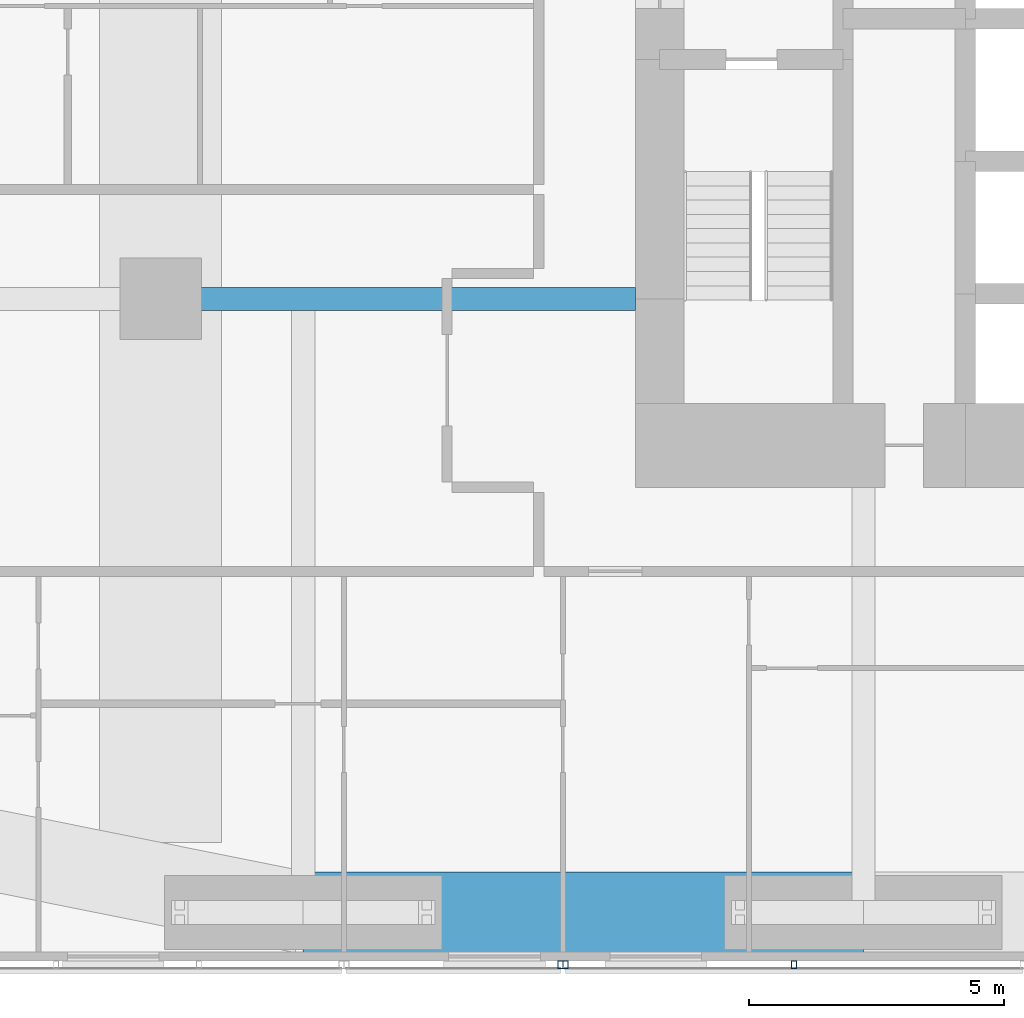
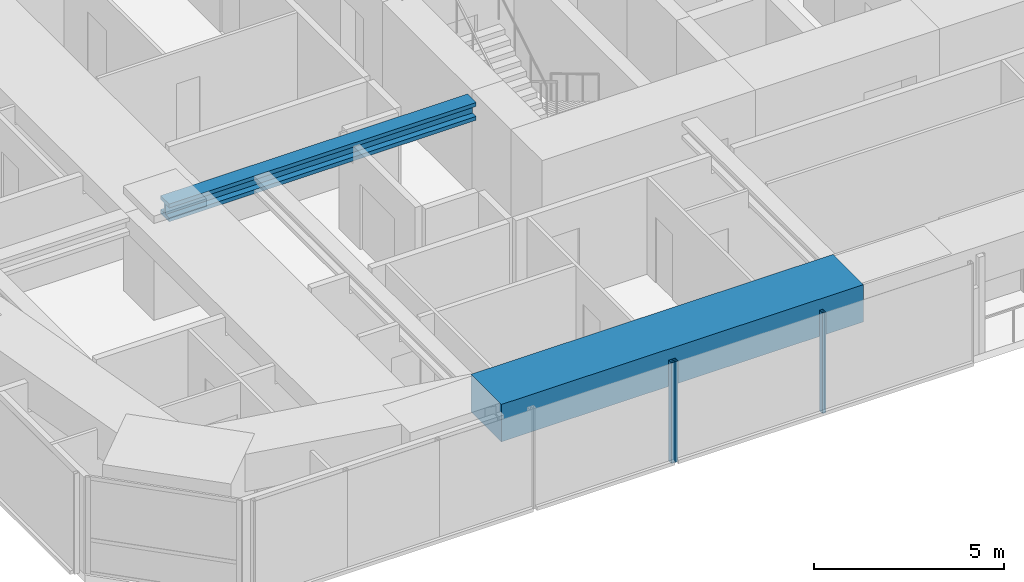
# One storey, part 4 of 24: 3 members, 2 beams, 2 elements without a shape of their own.
"""IFC4 building model written with IfcOpenShell, lengths in metres."""

from ifc_helpers import new_model, si_unit, direction, frame, origin, origin_2d, place, context, subcontext, project, spatial, rectangle, hollow_rectangle, i_section, extrude, material, material_profile, profile_set, type_object, element, aggregate, save


model = new_model("IFC4")

# Units and contexts
model_context = context("Model", 3, precision=1e-05, world=origin(), true_north=direction((0.0, 1.0)))
body_context = subcontext(model_context, "Body", "Model", "MODEL_VIEW")
ifc_project = project(units=[si_unit("LENGTHUNIT", "METRE"), si_unit("AREAUNIT", "SQUARE_METRE"), si_unit("VOLUMEUNIT", "CUBIC_METRE"), si_unit("PLANEANGLEUNIT", "RADIAN"), si_unit("MASSUNIT", "GRAM", prefix="KILO")], contexts=[model_context])

# Site, building, storey
site_placement = place(None, origin())
site = spatial("IfcSite", under=ifc_project, at=site_placement, CompositionType="ELEMENT")
building_placement = place(site_placement, origin())
building = spatial("IfcBuilding", under=site, at=building_placement, Name="Jalousie Tower", CompositionType="ELEMENT")
storey_placement = place(building_placement, frame((0.0, 0.0, 44.449951171875)))
storey = spatial("IfcBuildingStorey", under=building, at=storey_placement, Name="L11", CompositionType="ELEMENT", Elevation=44.449951171875)

# Beams
ifc_material_1 = material(Name="Steel ASTM A992 Grade 50", Category="steel")
ifc_material_profile_1 = material_profile(ifc_material_1, i_section(OverallWidth=0.45458984375, OverallDepth=0.569091796875, WebThickness=0.077880859375, FlangeThickness=0.124755859375, at=origin_2d()), Name="W14X730")
ifc_profile_set_1 = profile_set([ifc_material_profile_1], Name="Steel ASTM A992 Grade 50")
beam_type_1 = type_object("IfcBeamType", Name="LEAN COLLECTOR W14X730", PredefinedType="BEAM", material=ifc_profile_set_1)
beam_1_placement = place(storey_placement, frame((10.199951171875, 13.0, 2.825439453125), z_axis=(1.0, 0.0, 0.0), x_axis=(0.0, 1.0, 0.0)))
element("IfcBeam", 1, at=beam_1_placement, inside=storey, type_object=beam_type_1, Name="Lean collector under L12", PredefinedType="BEAM", context=body_context, shape_type="SweptSolid", body=[
    extrude(i_section(OverallWidth=0.45458984375, OverallDepth=0.569091796875, WebThickness=0.077880859375, FlangeThickness=0.124755859375, at=origin_2d()), origin(), (0.0, 0.0, 1.0), 9.324951171875),
])
ifc_material_2 = material(Name="Concrete f'c 40 MPa", Category="concrete")
ifc_material_profile_2 = material_profile(ifc_material_2, rectangle(XDim=1.60009765625, YDim=1.199951171875, at=origin_2d()), Name="RC 1600x1200")
ifc_profile_set_2 = profile_set([ifc_material_profile_2], Name="Concrete f'c 40 MPa")
beam_type_2 = type_object("IfcBeamType", Name="RC BEAM 1600x1200", PredefinedType="BEAM", material=ifc_profile_set_2)
beam_2_placement = place(storey_placement, frame((13.0, 0.949951171875, 2.75), z_axis=(1.0, 0.0, 0.0), x_axis=(0.0, 1.0, 0.0)))
element("IfcBeam", 2, at=beam_2_placement, inside=storey, type_object=beam_type_2, Name="Edge band beam 02-03 under L12", PredefinedType="BEAM", context=body_context, shape_type="SweptSolid", body=[
    extrude(rectangle(XDim=1.60009765625, YDim=1.199951171875, at=origin_2d()), origin(), (0.0, 0.0, 1.0), 11.0),
])

# Curtain wall, member
ifc_material_3 = material(Name="Perforated aluminium sheet", Category="aluminium")
curtain_wall_type = type_object("IfcCurtainWallType", Name="SOLAR SCREEN SS-1", PredefinedType="USERDEFINED", material=ifc_material_3)
curtain_wall_1_placement = place(storey_placement, origin())
curtain_wall_1 = element("IfcCurtainWall", 3, at=curtain_wall_1_placement, inside=storey, type_object=curtain_wall_type, Name="Solar screen L11", ObjectType="SOLAR SCREEN SS-1", PredefinedType="USERDEFINED")
ifc_material_4 = material(Name="Steel ASTM A500 Grade C", Category="steel")
ifc_material_profile_3 = material_profile(ifc_material_4, hollow_rectangle(XDim=0.1015625, YDim=0.15234375, WallThickness=0.00634765625, at=origin_2d()), Name="HSS6X4X1/4")
ifc_profile_set_3 = profile_set([ifc_material_profile_3], Name="Steel ASTM A500 Grade C")
member_type = type_object("IfcMemberType", Name="SOLAR SCREEN SS-1 MULLION", PredefinedType="MULLION", material=ifc_profile_set_3)
member_1_placement = place(storey_placement, frame((18.050048828125, -0.0712890625, -0.119873046875), z_axis=(0.0, 0.0, 1.0), x_axis=(1.0, 0.0, 0.0)))
member_1 = element("IfcMember", 4, at=member_1_placement, type_object=member_type, Name="SS1 post 2", PredefinedType="MULLION", context=body_context, shape_type="SweptSolid", body=[
    extrude(hollow_rectangle(XDim=0.1015625, YDim=0.15234375, WallThickness=0.00634765625, at=origin_2d()), origin(), (0.0, 0.0, 1.0), 3.22998046875),
])
aggregate(curtain_wall_1, [member_1])

# Curtain wall, members
curtain_wall_2_placement = place(storey_placement, origin())
curtain_wall_2 = element("IfcCurtainWall", 5, at=curtain_wall_2_placement, inside=storey, type_object=curtain_wall_type, Name="Solar screen L11", ObjectType="SOLAR SCREEN SS-1", PredefinedType="USERDEFINED")
member_2_placement = place(storey_placement, frame((18.14990234375, -0.0712890625, -0.119873046875), z_axis=(0.0, 0.0, 1.0), x_axis=(1.0, 0.0, 0.0)))
member_2 = element("IfcMember", 6, at=member_2_placement, type_object=member_type, Name="SS1 post 1", PredefinedType="MULLION", context=body_context, shape_type="SweptSolid", body=[
    extrude(hollow_rectangle(XDim=0.1015625, YDim=0.15234375, WallThickness=0.00634765625, at=origin_2d()), origin(), (0.0, 0.0, 1.0), 3.22998046875),
])
member_3_placement = place(storey_placement, frame((22.637451171875, -0.0712890625, -0.119873046875), z_axis=(0.0, 0.0, 1.0), x_axis=(1.0, 0.0, 0.0)))
member_3 = element("IfcMember", 7, at=member_3_placement, type_object=member_type, Name="SS1 post 2", PredefinedType="MULLION", context=body_context, shape_type="SweptSolid", body=[
    extrude(hollow_rectangle(XDim=0.1015625, YDim=0.15234375, WallThickness=0.00634765625, at=origin_2d()), origin(), (0.0, 0.0, 1.0), 3.22998046875),
])
aggregate(curtain_wall_2, [member_2, member_3])

save(model, "model.ifc")
